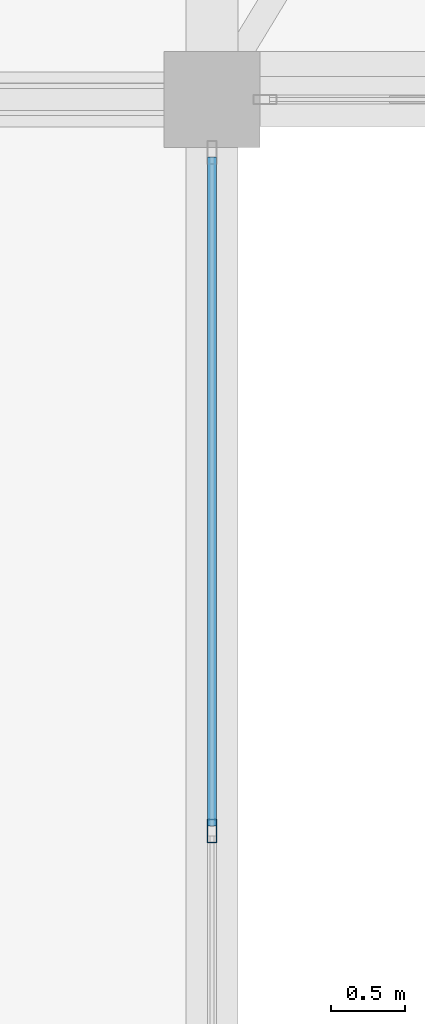
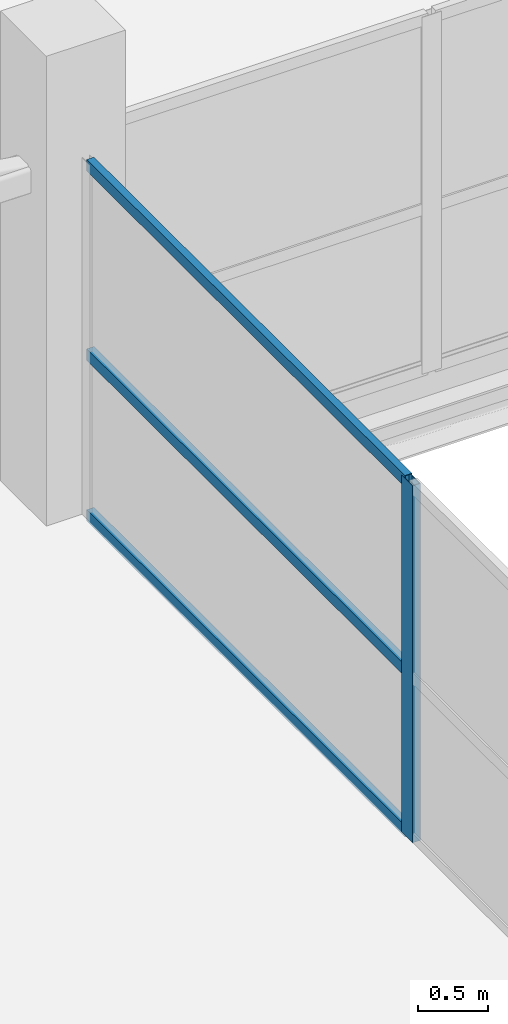
# One storey, part 27 of 66: 4 members, 1 element without a shape of its own.
"""IFC4 building model written with IfcOpenShell, lengths in metres."""

from ifc_helpers import new_model, si_unit, direction, frame, origin, origin_2d, place, context, subcontext, project, spatial, hollow_rectangle, extrude, material, layer, layer_set, material_profile, profile_set, type_object, element, aggregate, save


model = new_model("IFC4")

# Units and contexts
model_context = context("Model", 3, precision=1e-05, world=origin(), true_north=direction((0.0, 1.0)))
body_context = subcontext(model_context, "Body", "Model", "MODEL_VIEW")
ifc_project = project(units=[si_unit("LENGTHUNIT", "METRE"), si_unit("AREAUNIT", "SQUARE_METRE"), si_unit("VOLUMEUNIT", "CUBIC_METRE"), si_unit("PLANEANGLEUNIT", "RADIAN"), si_unit("MASSUNIT", "GRAM", prefix="KILO")], contexts=[model_context])

# Site, building, storey
site_placement = place(None, origin())
site = spatial("IfcSite", under=ifc_project, at=site_placement, CompositionType="ELEMENT")
building_placement = place(site_placement, origin())
building = spatial("IfcBuilding", under=site, at=building_placement, Name="Sillaruma Civic Art Gallery", CompositionType="ELEMENT")
storey_placement = place(building_placement, frame((0.0, 0.0, 62.219970703125)))
storey = spatial("IfcBuildingStorey", under=building, at=storey_placement, Name="L12", CompositionType="ELEMENT", Elevation=62.219970703125)

# Curtain wall, members
ifc_material = material(Name="Thermally Broken Extruded Aluminium 6063-T6", Category="aluminium")
ifc_layer = layer(ifc_material, 0.159912109375, Name="Thermally Broken Extruded Aluminium 6063-T6")
ifc_layer_set = layer_set([ifc_layer], Name="Thermally Broken Extruded Aluminium 6063-T6")
curtain_wall_type = type_object("IfcCurtainWallType", Name="CW-UNI-94", PredefinedType="NOTDEFINED", material=ifc_layer_set)
curtain_wall_placement = place(storey_placement, origin())
curtain_wall = element("IfcCurtainWall", 1, at=curtain_wall_placement, inside=storey, type_object=curtain_wall_type, Name="Unitised Curtain Wall CW-94 (CW-L12-WBE-5)", PredefinedType="NOTDEFINED")
ifc_material_profile_1 = material_profile(ifc_material, hollow_rectangle(XDim=0.06494140625, YDim=0.159912109375, WallThickness=0.00390625, at=origin_2d()), Name="CWM65x160")
ifc_profile_set_1 = profile_set([ifc_material_profile_1], Name="Thermally Broken Extruded Aluminium 6063-T6")
member_type_1 = type_object("IfcMemberType", Name="MEM-MUL-CWM65x160", PredefinedType="MULLION", material=ifc_profile_set_1)
member_1_placement = place(storey_placement, frame((92.0, 64.35009765625, 0.0), z_axis=(0.0, 0.0, 1.0), x_axis=(-1.0, 0.0, 0.0)))
member_1 = element("IfcMember", 2, at=member_1_placement, type_object=member_type_1, Name="CW-94 mullion 2", PredefinedType="MULLION", context=body_context, shape_type="SweptSolid", body=[
    extrude(hollow_rectangle(XDim=0.06494140625, YDim=0.159912109375, WallThickness=0.00390625, at=origin_2d()), origin(), (0.0, 0.0, 1.0), 3.10009765625),
])
ifc_material_profile_2 = material_profile(ifc_material, hollow_rectangle(XDim=0.06005859375, YDim=0.10009765625, WallThickness=0.003173828125, at=origin_2d()), Name="CWT60x100")
ifc_profile_set_2 = profile_set([ifc_material_profile_2], Name="Thermally Broken Extruded Aluminium 6063-T6")
member_type_2 = type_object("IfcMemberType", Name="MEM-TRN-CWT60x100", PredefinedType="USERDEFINED", material=ifc_profile_set_2)
member_2_placement = place(storey_placement, frame((92.0, 64.382568359375, 0.030029296875), z_axis=(0.0, 1.0, 0.0), x_axis=(-1.0, 0.0, 0.0)))
member_2 = element("IfcMember", 3, at=member_2_placement, type_object=member_type_2, Name="CW-94 transom 2.1", ObjectType="TRANSOM", PredefinedType="USERDEFINED", context=body_context, shape_type="SweptSolid", body=[
    extrude(hollow_rectangle(XDim=0.06005859375, YDim=0.10009765625, WallThickness=0.003173828125, at=origin_2d()), origin(), (0.0, 0.0, 1.0), 4.52734375),
])
member_3_placement = place(storey_placement, frame((92.0, 64.382568359375, 1.426025390625), z_axis=(0.0, 1.0, 0.0), x_axis=(-1.0, 0.0, 0.0)))
member_3 = element("IfcMember", 4, at=member_3_placement, type_object=member_type_2, Name="CW-94 transom 2.2", ObjectType="TRANSOM", PredefinedType="USERDEFINED", context=body_context, shape_type="SweptSolid", body=[
    extrude(hollow_rectangle(XDim=0.06005859375, YDim=0.10009765625, WallThickness=0.003173828125, at=origin_2d()), origin(), (0.0, 0.0, 1.0), 4.52734375),
])
member_4_placement = place(storey_placement, frame((92.0, 64.382568359375, 3.070068359375), z_axis=(0.0, 1.0, 0.0), x_axis=(-1.0, 0.0, 0.0)))
member_4 = element("IfcMember", 5, at=member_4_placement, type_object=member_type_2, Name="CW-94 transom 2.3", ObjectType="TRANSOM", PredefinedType="USERDEFINED", context=body_context, shape_type="SweptSolid", body=[
    extrude(hollow_rectangle(XDim=0.06005859375, YDim=0.10009765625, WallThickness=0.003173828125, at=origin_2d()), origin(), (0.0, 0.0, 1.0), 4.52734375),
])
aggregate(curtain_wall, [member_1, member_2, member_3, member_4])

save(model, "model.ifc")
